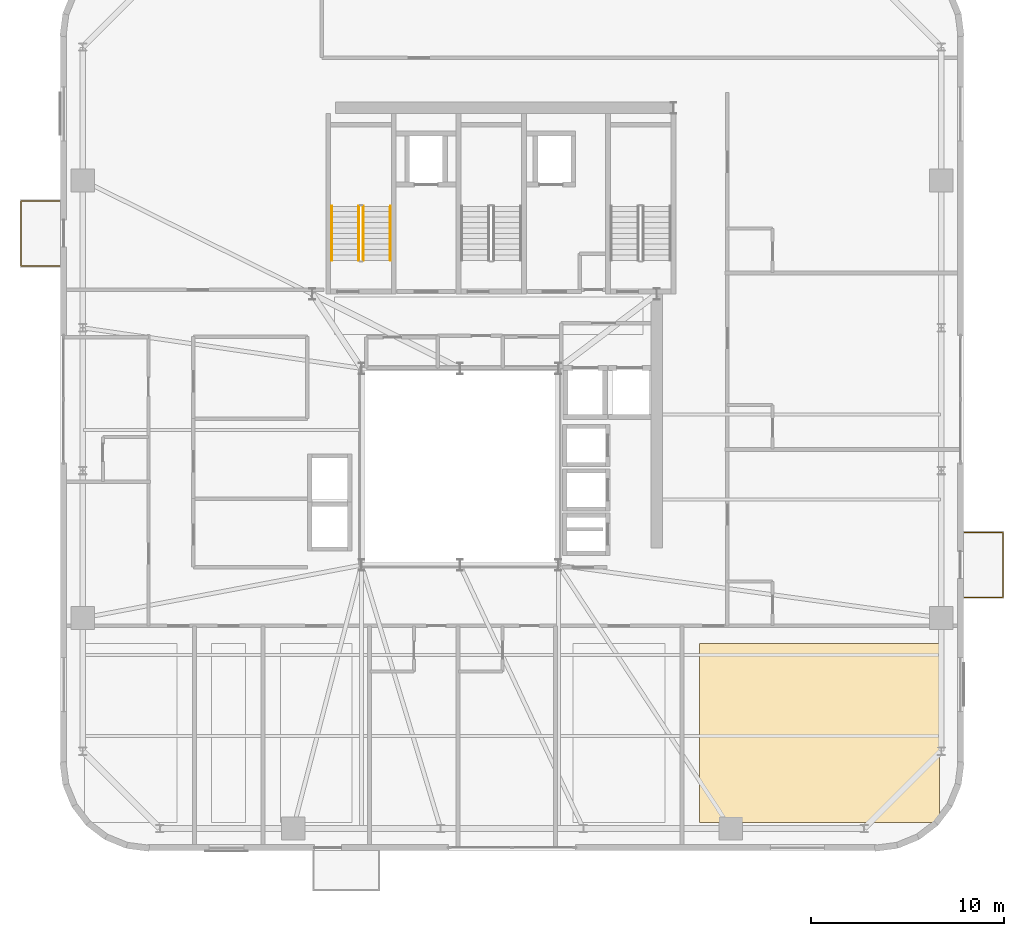
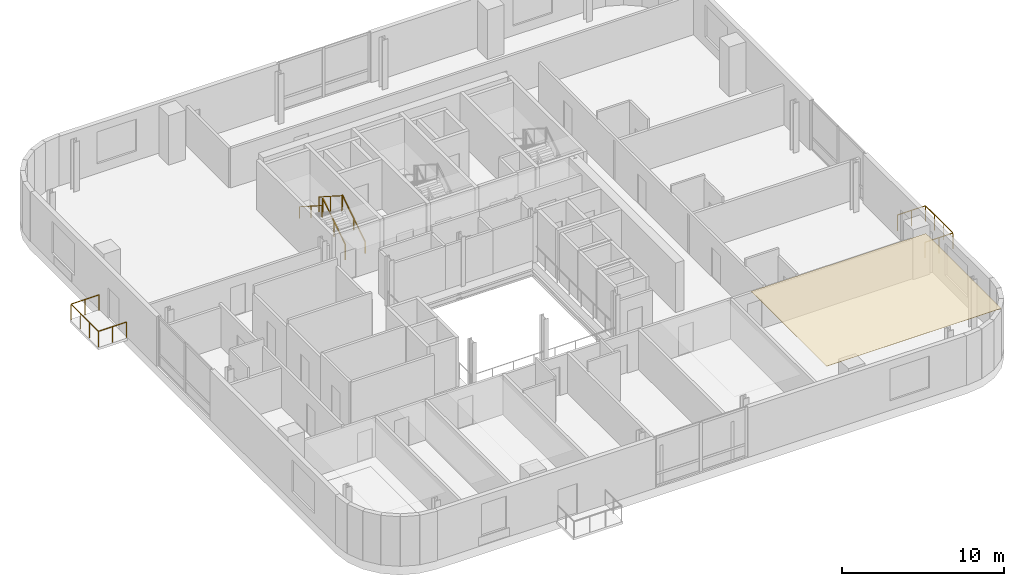
# One storey, part 14 of 15: 6 railings, 1 covering.
"""IFC4 building model written with IfcOpenShell, lengths in metres."""

from ifc_helpers import new_model, si_unit, direction, frame, origin, origin_2d, place, context, subcontext, project, spatial, polyline, rectangle, outline, extrude, source, transform, mapped, material, layer, layer_set, type_object, element, save


model = new_model("IFC4")

# Units and contexts
model_context = context("Model", 3, precision=1e-05, world=origin(), true_north=direction((0.0, 1.0)))
body_context = subcontext(model_context, "Body", "Model", "MODEL_VIEW")
ifc_project = project(units=[si_unit("LENGTHUNIT", "METRE"), si_unit("AREAUNIT", "SQUARE_METRE"), si_unit("VOLUMEUNIT", "CUBIC_METRE"), si_unit("PLANEANGLEUNIT", "RADIAN"), si_unit("MASSUNIT", "GRAM", prefix="KILO")], contexts=[model_context])

# Site, building, storey
site_placement = place(None, origin())
site = spatial("IfcSite", under=ifc_project, at=site_placement, CompositionType="ELEMENT")
building_placement = place(site_placement, origin())
building = spatial("IfcBuilding", under=site, at=building_placement, Name="Vardaveli Station Tower", CompositionType="ELEMENT")
storey_placement = place(building_placement, frame((0.0, 0.0, 242.699951171875)))
storey = spatial("IfcBuildingStorey", under=building, at=storey_placement, Name="L62", CompositionType="ELEMENT", Elevation=242.699951171875)

# Covering
ifc_material_1 = material(Name="Perforated acoustic mineral ceiling")
ifc_layer = layer(ifc_material_1, 0.02001953125, Name="Perforated acoustic mineral ceiling")
ifc_layer_set = layer_set([ifc_layer], Name="Perforated acoustic mineral ceiling")
covering_type = type_object("IfcCoveringType", Name="COV-CEIL-AC20", PredefinedType="CEILING", material=ifc_layer_set)
covering_placement = place(storey_placement, frame((0.0, 0.0, 3.715087890625)))
element("IfcCovering", 1, at=covering_placement, inside=storey, type_object=covering_type, Name="CEIL-L62-5", PredefinedType="CEILING", context=body_context, shape_type="SweptSolid", body=[
    extrude(outline(polyline([(48.719970703125, 3.25), (61.14990234375, 3.25), (61.14990234375, 12.550048828125), (48.719970703125, 12.550048828125), (48.719970703125, 3.25)])), origin(), (0.0, 0.0, 1.0), 0.02001953125),
])

# Railings
ifc_material_2 = material(Name="Laminated glass and stainless steel balustrade", Category="steel")
railing_type_1 = type_object("IfcRailingType", Name="RL-BAL-1200", PredefinedType="BALUSTRADE", material=ifc_material_2)
shared_shape_1 = source(origin(), body_context, "Body", "SweptSolid", [
    extrude(rectangle(XDim=0.048095703125, YDim=0.048095703125, at=origin_2d()), frame((0.0, 0.0, 1.17578125), z_axis=(1.0, 0.0, 0.0), x_axis=(0.0, 1.0, 0.0)), (0.0, 0.0, 1.0), 2.0),
    extrude(rectangle(XDim=0.048095703125, YDim=0.048095703125, at=origin_2d()), frame((2.0, 0.0, 1.17578125), z_axis=(0.0, 1.0, 0.0), x_axis=(-1.0, 0.0, 0.0)), (0.0, 0.0, 1.0), 3.3798828125),
    extrude(rectangle(XDim=0.048095703125, YDim=0.048095703125, at=origin_2d()), frame((2.0, 3.3798828125, 1.17578125), z_axis=(-1.0, 0.0, 0.0), x_axis=(0.0, -1.0, 0.0)), (0.0, 0.0, 1.0), 2.0),
    extrude(rectangle(XDim=0.0419921875, YDim=0.0419921875, at=origin_2d()), origin(), (0.0, 0.0, 1.0), 1.15185546875),
    extrude(rectangle(XDim=0.0419921875, YDim=0.0419921875, at=origin_2d()), frame((1.0, 0.0, 0.0)), (0.0, 0.0, 1.0), 1.15185546875),
    extrude(rectangle(XDim=0.0419921875, YDim=0.0419921875, at=origin_2d()), frame((2.0, 0.0, 0.0)), (0.0, 0.0, 1.0), 1.15185546875),
    extrude(rectangle(XDim=0.0419921875, YDim=0.0419921875, at=origin_2d()), frame((2.0, 1.126708984375, 0.0)), (0.0, 0.0, 1.0), 1.15185546875),
    extrude(rectangle(XDim=0.0419921875, YDim=0.0419921875, at=origin_2d()), frame((2.0, 2.253173828125, 0.0)), (0.0, 0.0, 1.0), 1.15185546875),
    extrude(rectangle(XDim=0.0419921875, YDim=0.0419921875, at=origin_2d()), frame((2.0, 3.3798828125, 0.0)), (0.0, 0.0, 1.0), 1.15185546875),
    extrude(rectangle(XDim=0.0419921875, YDim=0.0419921875, at=origin_2d()), frame((1.0, 3.3798828125, 0.0)), (0.0, 0.0, 1.0), 1.15185546875),
    extrude(rectangle(XDim=0.0419921875, YDim=0.0419921875, at=origin_2d()), frame((0.0, 3.3798828125, 0.0)), (0.0, 0.0, 1.0), 1.15185546875),
])
railing_1_placement = place(storey_placement, frame((62.43994140625, 14.92041015625, 0.0)))
element("IfcRailing", 2, at=railing_1_placement, inside=storey, type_object=railing_type_1, Name="RL-LOG-L62-04", PredefinedType="BALUSTRADE", context=body_context, shape_type="MappedRepresentation", body=[
    mapped(shared_shape_1, transform((0.0, 0.0, 0.0), scale=1.0)),
])
shared_shape_2 = source(origin(), body_context, "Body", "SweptSolid", [
    extrude(rectangle(XDim=0.048095703125, YDim=0.048095703125, at=origin_2d()), frame((0.0, 0.0, 1.17578125), z_axis=(-1.0, 0.0, 0.0), x_axis=(0.0, -1.0, 0.0)), (0.0, 0.0, 1.0), 2.0),
    extrude(rectangle(XDim=0.048095703125, YDim=0.048095703125, at=origin_2d()), frame((-2.0, 0.0, 1.17578125), z_axis=(0.0, 1.0, 0.0), x_axis=(-1.0, 0.0, 0.0)), (0.0, 0.0, 1.0), 3.3798828125),
    extrude(rectangle(XDim=0.048095703125, YDim=0.048095703125, at=origin_2d()), frame((-2.0, 3.3798828125, 1.17578125), z_axis=(1.0, 0.0, 0.0), x_axis=(0.0, 1.0, 0.0)), (0.0, 0.0, 1.0), 2.0),
    extrude(rectangle(XDim=0.0419921875, YDim=0.0419921875, at=origin_2d()), origin(), (0.0, 0.0, 1.0), 1.15185546875),
    extrude(rectangle(XDim=0.0419921875, YDim=0.0419921875, at=origin_2d()), frame((-1.0, 0.0, 0.0)), (0.0, 0.0, 1.0), 1.15185546875),
    extrude(rectangle(XDim=0.0419921875, YDim=0.0419921875, at=origin_2d()), frame((-2.0, 0.0, 0.0)), (0.0, 0.0, 1.0), 1.15185546875),
    extrude(rectangle(XDim=0.0419921875, YDim=0.0419921875, at=origin_2d()), frame((-2.0, 1.126708984375, 0.0)), (0.0, 0.0, 1.0), 1.15185546875),
    extrude(rectangle(XDim=0.0419921875, YDim=0.0419921875, at=origin_2d()), frame((-2.0, 2.253173828125, 0.0)), (0.0, 0.0, 1.0), 1.15185546875),
    extrude(rectangle(XDim=0.0419921875, YDim=0.0419921875, at=origin_2d()), frame((-2.0, 3.3798828125, 0.0)), (0.0, 0.0, 1.0), 1.15185546875),
    extrude(rectangle(XDim=0.0419921875, YDim=0.0419921875, at=origin_2d()), frame((-1.0, 3.3798828125, 0.0)), (0.0, 0.0, 1.0), 1.15185546875),
    extrude(rectangle(XDim=0.0419921875, YDim=0.0419921875, at=origin_2d()), frame((0.0, 3.3798828125, 0.0)), (0.0, 0.0, 1.0), 1.15185546875),
])
railing_2_placement = place(storey_placement, frame((15.56005859375, 32.099609375, 0.0)))
element("IfcRailing", 3, at=railing_2_placement, inside=storey, type_object=railing_type_1, Name="RL-LOG-L62-03", PredefinedType="BALUSTRADE", context=body_context, shape_type="MappedRepresentation", body=[
    mapped(shared_shape_2, transform((0.0, 0.0, 0.0), scale=1.0)),
])
ifc_material_3 = material(Name="Brushed AISI 316 stainless steel", Category="steel")
railing_type_2 = type_object("IfcRailingType", Name="RL-GUARD-1150", PredefinedType="GUARDRAIL", material=ifc_material_3)
shared_shape_3 = source(origin(), body_context, "Body", "SweptSolid", [
    extrude(rectangle(XDim=0.048095703125, YDim=0.048095703125, at=origin_2d()), frame((0.0, 0.0, 1.1259765625), z_axis=(0.0, 0.841809871826, 0.539774156196), x_axis=(-1.0, 0.0, 0.0)), (0.0, 0.0, 1.0), 3.326171875),
    extrude(rectangle(XDim=0.0419921875, YDim=0.0419921875, at=origin_2d()), origin(), (0.0, 0.0, 1.0), 1.101806640625),
    extrude(rectangle(XDim=0.0419921875, YDim=0.0419921875, at=origin_2d()), frame((0.0, 1.39990234375, 0.897705078125)), (0.0, 0.0, 1.0), 1.101806640625),
    extrude(rectangle(XDim=0.0419921875, YDim=0.0419921875, at=origin_2d()), frame((0.0, 2.800048828125, 1.79541015625)), (0.0, 0.0, 1.0), 1.101806640625),
])
railing_3_placement = place(storey_placement, frame((31.300048828125, 32.39990234375, 0.1796875)))
element("IfcRailing", 4, at=railing_3_placement, inside=storey, type_object=railing_type_2, Name="L62 ST-1 stair guard 1", PredefinedType="GUARDRAIL", context=body_context, shape_type="MappedRepresentation", body=[
    mapped(shared_shape_3, transform((0.0, 0.0, 0.0), scale=1.0)),
])
shared_shape_4 = source(origin(), body_context, "Body", "SweptSolid", [
    extrude(rectangle(XDim=0.048095703125, YDim=0.048095703125, at=origin_2d()), frame((0.0, 0.0, 1.1259765625), z_axis=(0.0, -0.841809871826, 0.539774156196), x_axis=(1.0, 0.0, 0.0)), (0.0, 0.0, 1.0), 3.326171875),
    extrude(rectangle(XDim=0.0419921875, YDim=0.0419921875, at=origin_2d()), origin(), (0.0, 0.0, 1.0), 1.101806640625),
    extrude(rectangle(XDim=0.0419921875, YDim=0.0419921875, at=origin_2d()), frame((0.0, -1.39990234375, 0.897705078125)), (0.0, 0.0, 1.0), 1.101806640625),
    extrude(rectangle(XDim=0.0419921875, YDim=0.0419921875, at=origin_2d()), frame((0.0, -2.800048828125, 1.79541015625)), (0.0, 0.0, 1.0), 1.101806640625),
])
railing_4_placement = place(storey_placement, frame((31.050048828125, 35.199951171875, 2.154541015625)))
element("IfcRailing", 5, at=railing_4_placement, inside=storey, type_object=railing_type_2, Name="L62 ST-1 stair guard 3", PredefinedType="GUARDRAIL", context=body_context, shape_type="MappedRepresentation", body=[
    mapped(shared_shape_4, transform((0.0, 0.0, 0.0), scale=1.0)),
])
railing_type_3 = type_object("IfcRailingType", Name="RL-HAND-900", PredefinedType="HANDRAIL", material=ifc_material_3)
shared_shape_5 = source(origin(), body_context, "Body", "SweptSolid", [
    extrude(rectangle(XDim=0.048095703125, YDim=0.048095703125, at=origin_2d()), frame((0.0, 0.0, 0.8759765625), z_axis=(0.0, 0.841809871826, 0.539774156196), x_axis=(-1.0, 0.0, 0.0)), (0.0, 0.0, 1.0), 3.326171875),
    extrude(rectangle(XDim=0.0419921875, YDim=0.0419921875, at=origin_2d()), origin(), (0.0, 0.0, 1.0), 0.851806640625),
    extrude(rectangle(XDim=0.0419921875, YDim=0.0419921875, at=origin_2d()), frame((0.0, 1.39990234375, 0.897705078125)), (0.0, 0.0, 1.0), 0.851806640625),
    extrude(rectangle(XDim=0.0419921875, YDim=0.0419921875, at=origin_2d()), frame((0.0, 2.800048828125, 1.79541015625)), (0.0, 0.0, 1.0), 0.851806640625),
])
railing_5_placement = place(storey_placement, frame((32.699951171875, 32.39990234375, 0.1796875)))
element("IfcRailing", 6, at=railing_5_placement, inside=storey, type_object=railing_type_3, Name="L62 ST-1 stair handrail 1", PredefinedType="HANDRAIL", context=body_context, shape_type="MappedRepresentation", body=[
    mapped(shared_shape_5, transform((0.0, 0.0, 0.0), scale=1.0)),
])
shared_shape_6 = source(origin(), body_context, "Body", "SweptSolid", [
    extrude(rectangle(XDim=0.048095703125, YDim=0.048095703125, at=origin_2d()), frame((0.0, 0.0, 0.8759765625), z_axis=(0.0, -0.841809871826, 0.539774156196), x_axis=(1.0, 0.0, 0.0)), (0.0, 0.0, 1.0), 3.326171875),
    extrude(rectangle(XDim=0.0419921875, YDim=0.0419921875, at=origin_2d()), origin(), (0.0, 0.0, 1.0), 0.851806640625),
    extrude(rectangle(XDim=0.0419921875, YDim=0.0419921875, at=origin_2d()), frame((0.0, -1.39990234375, 0.897705078125)), (0.0, 0.0, 1.0), 0.851806640625),
    extrude(rectangle(XDim=0.0419921875, YDim=0.0419921875, at=origin_2d()), frame((0.0, -2.800048828125, 1.79541015625)), (0.0, 0.0, 1.0), 0.851806640625),
])
railing_6_placement = place(storey_placement, frame((29.64990234375, 35.199951171875, 2.154541015625)))
element("IfcRailing", 7, at=railing_6_placement, inside=storey, type_object=railing_type_3, Name="L62 ST-1 stair handrail 2", PredefinedType="HANDRAIL", context=body_context, shape_type="MappedRepresentation", body=[
    mapped(shared_shape_6, transform((0.0, 0.0, 0.0), scale=1.0)),
])

save(model, "model.ifc")
